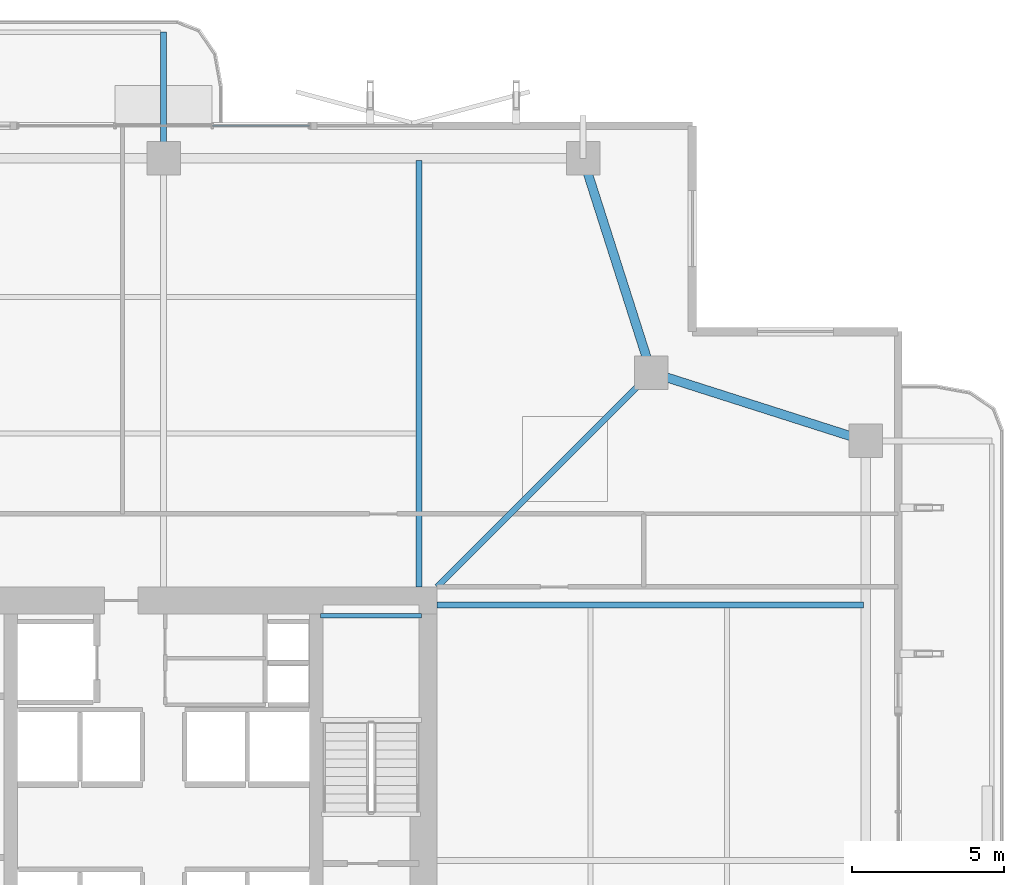
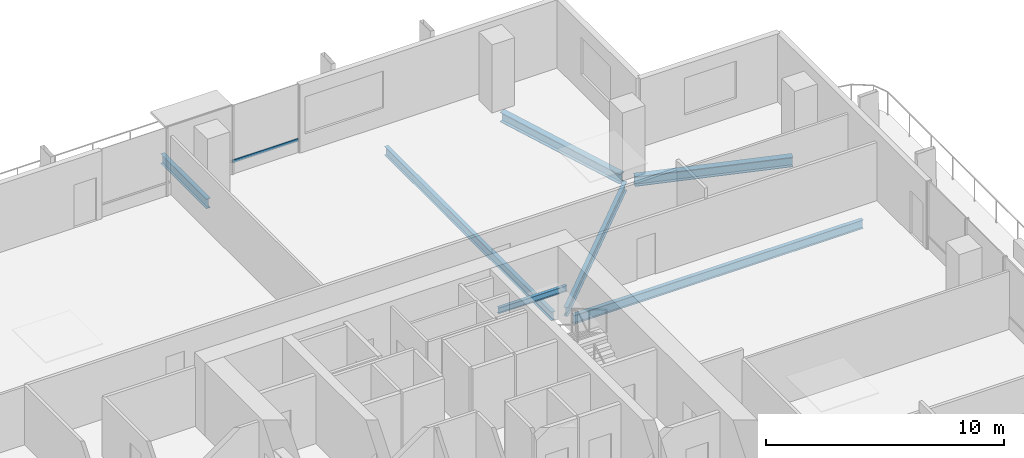
# One storey, part 14 of 25: 7 beams, 1 member, 1 element without a shape of its own.
"""IFC4 building model written with IfcOpenShell, lengths in metres."""

import ifcopenshell
import ifcopenshell.guid

model = None  # the IFC model being written
_history = None  # IfcOwnerHistory: only IFC2X3 demands one
_inside = {}  # id of a spatial element -> (the spatial element, [elements in it])
_under = {}  # id of a project, library or spatial element -> (it, [spatial elements below it])
_declared = {}  # id of a project -> (the project, [libraries it declares])
_typed = {}  # id of a type object -> (the type object, [elements of that type])
_made_of = {}  # id of a material, layer set ... -> (it, [elements and type objects made of it])


def new_model(schema):
    """Start an empty IFC model of exactly this schema.

    Asked for "IFC4X3", IfcOpenShell would pick the latest addendum, in which some entities
    have other attributes; the version numbers below select the first issue.
    IFC2X3 requires an IfcOwnerHistory on every rooted entity: one is made here for all.
    """
    global model, _history
    if schema == "IFC4X3":
        model = ifcopenshell.file(schema_version=(4, 3, 0, 0))
    else:
        model = ifcopenshell.file(schema=schema)
    _inside.clear()
    _under.clear()
    _declared.clear()
    _typed.clear()
    _made_of.clear()
    _history = None
    if model.schema == "IFC2X3":
        org = make("IfcOrganization", Name="unknown")
        user = make(
            "IfcPersonAndOrganization",
            ThePerson=make("IfcPerson", FamilyName="unknown"),
            TheOrganization=org,
        )
        app = make(
            "IfcApplication",
            ApplicationDeveloper=org,
            Version="unknown",
            ApplicationFullName="unknown",
            ApplicationIdentifier="unknown",
        )
        _history = make(
            "IfcOwnerHistory",
            OwningUser=user,
            OwningApplication=app,
            ChangeAction="ADDED",
            CreationDate=0,
        )
    return model


def make(cls, **values):
    """One entity of the class cls with the attributes given. An attribute that is None is left unset."""
    return model.create_entity(
        cls, **{name: value for name, value in values.items() if value is not None}
    )


def rooted(cls, **values):
    """An entity with a GlobalId (a new one), such as an element, a storey or a relation."""
    return make(cls, GlobalId=ifcopenshell.guid.new(), OwnerHistory=_history, **values)


def si_unit(unit_type, name, prefix=None):
    """IfcSIUnit, for example si_unit("LENGTHUNIT", "METRE", prefix="MILLI")."""
    return make("IfcSIUnit", UnitType=unit_type, Prefix=prefix, Name=name)


def assignment(units):
    """IfcUnitAssignment: the units of a project."""
    return None if units is None else make("IfcUnitAssignment", Units=units)


def point(xyz):
    """IfcCartesianPoint."""
    return None if xyz is None else make("IfcCartesianPoint", Coordinates=xyz)


def direction(xyz):
    """IfcDirection."""
    return None if xyz is None else make("IfcDirection", DirectionRatios=xyz)


def frame(location, z_axis=None, x_axis=None):
    """IfcAxis2Placement3D, a coordinate frame: its origin and axes. An axis left out is left unset."""
    return make(
        "IfcAxis2Placement3D",
        Location=point(location),
        Axis=direction(z_axis),
        RefDirection=direction(x_axis),
    )


def frame_2d(location, x_axis=None):
    """IfcAxis2Placement2D, a coordinate frame in the plane: its origin and x axis."""
    return make(
        "IfcAxis2Placement2D", Location=point(location), RefDirection=direction(x_axis)
    )


def origin():
    """The frame at (0, 0, 0) with its axes left unset."""
    return frame((0.0, 0.0, 0.0))


def origin_2d():
    """The frame at (0, 0) in the plane with its x axis left unset."""
    return frame_2d((0.0, 0.0))


def place(relative_to, where):
    """IfcLocalPlacement: puts the frame where relative to a parent placement (None: the world)."""
    return make(
        "IfcLocalPlacement", PlacementRelTo=relative_to, RelativePlacement=where
    )


def context(
    kind, dimensions, precision=None, world=None, true_north=None, identifier=None
):
    """IfcGeometricRepresentationContext, for example the 3D "Model" context."""
    return make(
        "IfcGeometricRepresentationContext",
        ContextIdentifier=identifier,
        ContextType=kind,
        CoordinateSpaceDimension=dimensions,
        Precision=precision,
        WorldCoordinateSystem=world,
        TrueNorth=true_north,
    )


def subcontext(parent, identifier, kind, view, scale=None):
    """IfcGeometricRepresentationSubContext, for example "Body" below "Model"."""
    return make(
        "IfcGeometricRepresentationSubContext",
        ContextIdentifier=identifier,
        ContextType=kind,
        ParentContext=parent,
        TargetScale=scale,
        TargetView=view,
    )


def project(units=None, contexts=None):
    """IfcProject with its units and contexts."""
    return rooted(
        "IfcProject",
        Name="project",
        RepresentationContexts=contexts,
        UnitsInContext=assignment(units),
    )


def spatial(cls, under=None, at=None, **own):
    """A site, building, storey or space (cls), placed at a placement, below another one or the project."""
    s = rooted(cls, ObjectPlacement=at, **own)
    if under is not None:
        _under.setdefault(under.id(), (under, []))[1].append(s)
    return s


def profile(cls, at=None, kind="AREA", **sizes):
    """A parametric profile (cls). Its sizes go by their IFC names, for example OverallWidth=200.0."""
    return make(cls, ProfileType=kind, Position=at, **sizes)


def hollow_rectangle(**sizes):
    """IfcRectangleHollowProfileDef."""
    return profile("IfcRectangleHollowProfileDef", **sizes)


def i_section(**sizes):
    """IfcIShapeProfileDef."""
    return profile("IfcIShapeProfileDef", **sizes)


def extrude(swept, where, along, depth):
    """IfcExtrudedAreaSolid: the profile swept, set in the frame where, extruded along a direction by depth."""
    return make(
        "IfcExtrudedAreaSolid",
        SweptArea=swept,
        Position=where,
        ExtrudedDirection=direction(along),
        Depth=depth,
    )


def shape(context_of_items, identifier, shape_type, items):
    """IfcShapeRepresentation: the items that make up one representation, for example the "Body"."""
    return make(
        "IfcShapeRepresentation",
        ContextOfItems=context_of_items,
        RepresentationIdentifier=identifier,
        RepresentationType=shape_type,
        Items=items,
    )


def material(Name=None, Category=None):
    """IfcMaterial."""
    return make("IfcMaterial", Name=Name, Category=Category)


def layer(
    of_material, thickness, ventilated=None, Name=None, Category=None, Priority=None
):
    """IfcMaterialLayer: one layer of a wall or slab, of a material (None: an air gap)."""
    return make(
        "IfcMaterialLayer",
        Material=of_material,
        LayerThickness=thickness,
        IsVentilated=ventilated,
        Name=Name,
        Category=Category,
        Priority=Priority,
    )


def layer_set(layers, Name=None):
    """IfcMaterialLayerSet."""
    return make("IfcMaterialLayerSet", MaterialLayers=layers, LayerSetName=Name)


def material_profile(
    of_material, cross_section, Name=None, Category=None, Priority=None
):
    """IfcMaterialProfile: a cross section and its material."""
    return make(
        "IfcMaterialProfile",
        Name=Name,
        Material=of_material,
        Profile=cross_section,
        Priority=Priority,
        Category=Category,
    )


def profile_set(profiles, Name=None, composite=None):
    """IfcMaterialProfileSet."""
    return make(
        "IfcMaterialProfileSet",
        Name=Name,
        MaterialProfiles=profiles,
        CompositeProfile=composite,
    )


def made_of(thing, what):
    """Note that an element or type object is made of a material, layer set ...; save() writes the relation."""
    if what is not None:
        _made_of.setdefault(what.id(), (what, []))[1].append(thing)
    return thing


def type_object(cls, material=None, **own):
    """A type object (cls), such as IfcWallType, which elements share."""
    return made_of(rooted(cls, **own), material)


def element(
    cls,
    number,
    at=None,
    inside=None,
    cuts=None,
    type_object=None,
    material=None,
    context=None,
    identifier="Body",
    shape_type=None,
    held_by="IfcProductDefinitionShape",
    body=None,
    shapes=None,
    **own,
):
    """One element of the class cls, such as IfcWall. Its Tag is "e" and its number.

    at: its placement. inside: the storey or other place that contains it. cuts: it is an
    opening in that element (IfcRelVoidsElement). A single representation is given by context,
    identifier, shape_type and body (its items); several are given by shapes. held_by: the class
    of the entity that holds the representations. save() writes the other relations.
    """
    e = rooted(cls, Tag="e%d" % number, ObjectPlacement=at, **own)
    if body is not None:
        shapes = [shape(context, identifier, shape_type, body)]
    if shapes is not None:
        e.Representation = make(held_by, Representations=shapes)
    if inside is not None:
        _inside.setdefault(inside.id(), (inside, []))[1].append(e)
    if cuts is not None:
        rooted(
            "IfcRelVoidsElement", RelatingBuildingElement=cuts, RelatedOpeningElement=e
        )
    if type_object is not None:
        _typed.setdefault(type_object.id(), (type_object, []))[1].append(e)
    return made_of(e, material)


def aggregate(whole, parts):
    """IfcRelAggregates: a whole, such as a stair, and the parts it consists of."""
    return rooted("IfcRelAggregates", RelatingObject=whole, RelatedObjects=parts)


def save(model, path):
    """Write the relations noted so far, then the file.

    IfcRelAggregates (storeys below a building ...), IfcRelContainedInSpatialStructure (elements
    in a storey), IfcRelDefinesByType, IfcRelAssociatesMaterial and IfcRelDeclares: one each for
    every whole, place, type object, material and project.
    """
    for whole, parts in _under.values():
        aggregate(whole, parts)
    for where, things in _inside.values():
        rooted(
            "IfcRelContainedInSpatialStructure",
            RelatedElements=things,
            RelatingStructure=where,
        )
    for kind, things in _typed.values():
        rooted("IfcRelDefinesByType", RelatedObjects=things, RelatingType=kind)
    for what, things in _made_of.values():
        rooted("IfcRelAssociatesMaterial", RelatedObjects=things, RelatingMaterial=what)
    for by, libraries in _declared.values():
        rooted("IfcRelDeclares", RelatingContext=by, RelatedDefinitions=libraries)
    model.write(path)


model = new_model("IFC4")

# Units and contexts
model_context = context("Model", 3, precision=1e-05, world=origin(), true_north=direction((0.0, 1.0)))
body_context = subcontext(model_context, "Body", "Model", "MODEL_VIEW")
ifc_project = project(units=[si_unit("LENGTHUNIT", "METRE"), si_unit("AREAUNIT", "SQUARE_METRE"), si_unit("VOLUMEUNIT", "CUBIC_METRE"), si_unit("PLANEANGLEUNIT", "RADIAN"), si_unit("MASSUNIT", "GRAM", prefix="KILO")], contexts=[model_context])

# Site, building, storey
site_placement = place(None, origin())
site = spatial("IfcSite", under=ifc_project, at=site_placement, CompositionType="ELEMENT")
building_placement = place(site_placement, origin())
building = spatial("IfcBuilding", under=site, at=building_placement, Name="Belovzor Exchange Tower", CompositionType="ELEMENT")
storey_placement = place(building_placement, frame((0.0, 0.0, 175.800048828125)))
storey = spatial("IfcBuildingStorey", under=building, at=storey_placement, Name="L43", CompositionType="ELEMENT", Elevation=175.800048828125)

# Beams
ifc_material_1 = material(Name="Steel S355", Category="steel")
ifc_material_profile_1 = material_profile(ifc_material_1, i_section(OverallWidth=0.199951171875, OverallDepth=0.5, WebThickness=0.01025390625, FlangeThickness=0.01611328125, at=origin_2d()))
ifc_profile_set_1 = profile_set([ifc_material_profile_1], Name="Steel S355")
beam_type_1 = type_object("IfcBeamType", Name="Planted Balcony Cantilever Beam IPE 500", PredefinedType="BEAM", material=ifc_profile_set_1)
beam_1_placement = place(storey_placement, frame((28.800048828125, 52.202880859375, -0.505126953125), z_axis=(0.0, 1.0, 0.0), x_axis=(-1.0, 0.0, 0.0)))
element("IfcBeam", 1, at=beam_1_placement, inside=storey, type_object=beam_type_1, Name="BC-500 Planted Balcony Cantilever Beam IPE 500", PredefinedType="BEAM", context=body_context, shape_type="SweptSolid", body=[
    extrude(i_section(OverallWidth=0.199951171875, OverallDepth=0.5, WebThickness=0.01025390625, FlangeThickness=0.01611328125, at=origin_2d()), origin(), (0.0, 0.0, 1.0), 3.85009765625),
])
ifc_material_2 = material(Name="Steel S355", Category="steel")
ifc_material_profile_2 = material_profile(ifc_material_2, i_section(OverallWidth=0.14990234375, OverallDepth=0.300048828125, WebThickness=0.007080078125, FlangeThickness=0.0107421875, at=origin_2d()))
ifc_profile_set_2 = profile_set([ifc_material_profile_2], Name="Steel S355")
beam_type_2 = type_object("IfcBeamType", Name="Secondary Trim Floor Joist IPE 300", PredefinedType="BEAM", material=ifc_profile_set_2)
beam_2_placement = place(storey_placement, frame((37.280029296875, 36.85009765625, 1.52490234375), z_axis=(-1.0, 0.0, 0.0), x_axis=(0.0, -1.0, 0.0)))
element("IfcBeam", 2, at=beam_2_placement, inside=storey, type_object=beam_type_2, Name="FJ-300 Secondary Trim Floor Joist IPE 300", PredefinedType="BEAM", context=body_context, shape_type="SweptSolid", body=[
    extrude(i_section(OverallWidth=0.14990234375, OverallDepth=0.300048828125, WebThickness=0.007080078125, FlangeThickness=0.0107421875, at=origin_2d()), origin(), (0.0, 0.0, 1.0), 3.31005859375),
])

# Curtain wall, member
ifc_material_3 = material(Name="Anodised Aluminium Framing", Category="aluminium")
ifc_layer = layer(ifc_material_3, 0.179931640625)
ifc_layer_set = layer_set([ifc_layer], Name="Anodised Aluminium Framing")
curtain_wall_type = type_object("IfcCurtainWallType", Name="Recessed Loggia Low-Iron Triple-Glazed Curtain Wall", PredefinedType="NOTDEFINED", material=ifc_layer_set)
curtain_wall_placement = place(storey_placement, origin())
curtain_wall = element("IfcCurtainWall", 3, at=curtain_wall_placement, inside=storey, type_object=curtain_wall_type, Name="CW3 Recessed Loggia Low-Iron Triple-Glazed Curtain Wall L43", PredefinedType="NOTDEFINED")
ifc_material_4 = material(Name="Steel S355", Category="steel")
ifc_material_profile_3 = material_profile(ifc_material_4, hollow_rectangle(XDim=0.06005859375, YDim=0.14990234375, WallThickness=0.00390625, at=origin_2d()))
ifc_profile_set_3 = profile_set([ifc_material_profile_3], Name="Steel S355")
member_type = type_object("IfcMemberType", Name="Thermally Broken Curtain Wall Transom 150x60", PredefinedType="USERDEFINED", material=ifc_profile_set_3)
member_placement = place(storey_placement, frame((30.407958984375, 52.969970703125, 0.62890625), z_axis=(1.0, 0.0, 0.0), x_axis=(0.0, 1.0, 0.0)))
member = element("IfcMember", 4, at=member_placement, type_object=member_type, Name="CW-T150 Curtain Wall Transom 3", ObjectType="TRANSOM", PredefinedType="USERDEFINED", context=body_context, shape_type="SweptSolid", body=[
    extrude(hollow_rectangle(XDim=0.06005859375, YDim=0.14990234375, WallThickness=0.00390625, at=origin_2d()), origin(), (0.0, 0.0, 1.0), 3.18408203125),
])
aggregate(curtain_wall, [member])

# Beams
ifc_material_5 = material(Name="Steel S355", Category="steel")
ifc_material_profile_4 = material_profile(ifc_material_5, i_section(OverallWidth=0.18994140625, OverallDepth=0.449951171875, WebThickness=0.009521484375, FlangeThickness=0.0146484375, at=origin_2d()))
ifc_profile_set_4 = profile_set([ifc_material_profile_4], Name="Steel S355")
beam_type_3 = type_object("IfcBeamType", Name="Zone 2-4 Radial Composite Floor Beam IPE 450", PredefinedType="BEAM", material=ifc_profile_set_4)
for number, where, z_axis, x_axis, name in (
    (5, (37.199951171875, 37.800048828125, -0.47998046875), (0.0, 1.0, 0.0), (-1.0, 0.0, 0.0), "FB-450 Zone 2-4 Radial Composite Floor Beam IPE 450"),
    (6, (37.800048828125, 37.199951171875, -0.47998046875), (1.0, 0.0, 0.0), (0.0, 1.0, 0.0), "FB-450 Zone 2-4 Radial Composite Floor Beam IPE 450"),
):
    element("IfcBeam", number, at=place(storey_placement, frame(where, z_axis=z_axis, x_axis=x_axis)), inside=storey, type_object=beam_type_3, Name=name, PredefinedType="BEAM", context=body_context, shape_type="SweptSolid", body=[
        extrude(i_section(OverallWidth=0.18994140625, OverallDepth=0.449951171875, WebThickness=0.009521484375, FlangeThickness=0.0146484375, at=origin_2d()), origin(), (0.0, 0.0, 1.0), 14.02490234375),
    ])
beam_3_placement = place(storey_placement, frame((37.800048828125, 37.800048828125, -0.47998046875), z_axis=(0.707106781187, 0.707106781187, 0.0), x_axis=(-0.707106781187, 0.707106781187, 0.0)))
element("IfcBeam", 7, at=beam_3_placement, inside=storey, type_object=beam_type_3, Name="FB-450 Zone 2-4 Radial Composite Floor Beam IPE 450", PredefinedType="BEAM", context=body_context, shape_type="SweptSolid", body=[
    extrude(i_section(OverallWidth=0.18994140625, OverallDepth=0.449951171875, WebThickness=0.009521484375, FlangeThickness=0.0146484375, at=origin_2d()), origin(), (0.0, 0.0, 1.0), 9.5810546875),
])
ifc_material_6 = material(Name="Steel S355", Category="steel")
ifc_material_profile_5 = material_profile(ifc_material_6, i_section(OverallWidth=0.300048828125, OverallDepth=0.5, WebThickness=0.014404296875, FlangeThickness=0.028076171875, at=origin_2d()))
ifc_profile_set_5 = profile_set([ifc_material_profile_5], Name="Steel S355")
beam_type_4 = type_object("IfcBeamType", Name="Zone 3 Waist Primary Girder HEB 500", PredefinedType="BEAM", material=ifc_profile_set_5)
for number, where, z_axis, x_axis, name in (
    (8, (51.612060546875, 42.69189453125, -0.505126953125), (-0.952661203756, 0.304033930439, 0.0), (-0.304033930439, -0.952661203756, 0.0), "FG-Z3 Zone 3 Waist Primary Girder HEB 500"),
    (9, (44.758056640625, 45.137939453125, -0.505126953125), (-0.304033930439, 0.952661203756, 0.0), (-0.952661203756, -0.304033930439, 0.0), "FG-Z3 Zone 3 Waist Primary Girder HEB 500"),
):
    element("IfcBeam", number, at=place(storey_placement, frame(where, z_axis=z_axis, x_axis=x_axis)), inside=storey, type_object=beam_type_4, Name=name, PredefinedType="BEAM", context=body_context, shape_type="SweptSolid", body=[
        extrude(i_section(OverallWidth=0.300048828125, OverallDepth=0.5, WebThickness=0.014404296875, FlangeThickness=0.028076171875, at=origin_2d()), origin(), (0.0, 0.0, 1.0), 6.7958984375),
    ])

save(model, "model.ifc")
